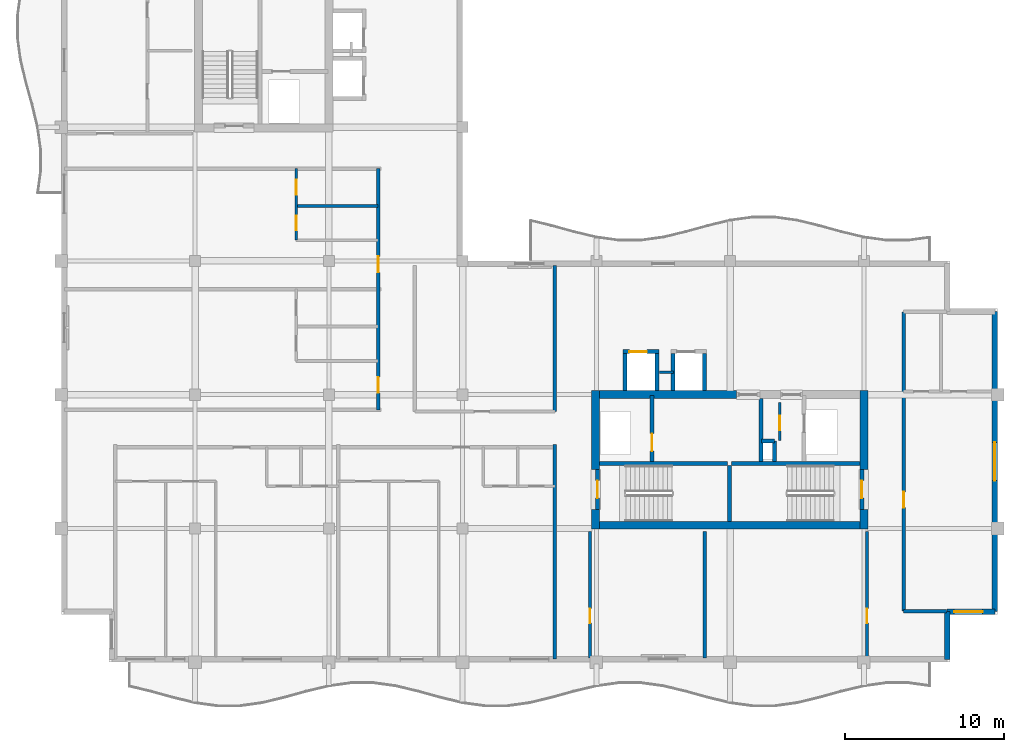
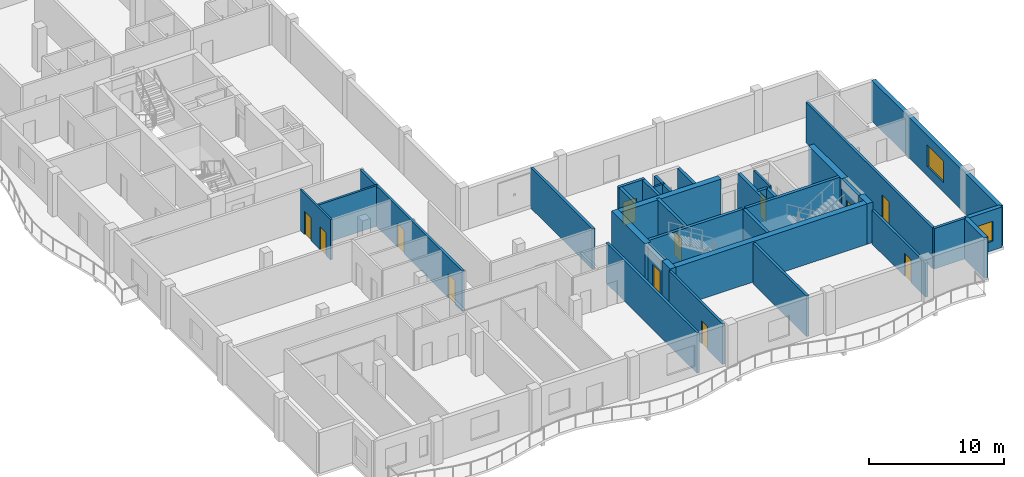
# One storey, part 4 of 12: 35 walls, 12 doors, 2 windows, 14 openings.
"""IFC4 building model written with IfcOpenShell, lengths in metres."""

from ifc_helpers import new_model, si_unit, direction, frame, frame_2d, origin, place, context, subcontext, project, spatial, rectangle, extrude, material, layer, layer_set, type_object, element, fill, save


model = new_model("IFC4")

# Units and contexts
model_context = context("Model", 3, precision=1e-05, world=origin(), true_north=direction((0.0, 1.0)))
body_context = subcontext(model_context, "Body", "Model", "MODEL_VIEW")
ifc_project = project(units=[si_unit("LENGTHUNIT", "METRE"), si_unit("AREAUNIT", "SQUARE_METRE"), si_unit("VOLUMEUNIT", "CUBIC_METRE"), si_unit("PLANEANGLEUNIT", "RADIAN"), si_unit("MASSUNIT", "GRAM", prefix="KILO")], contexts=[model_context])

# Site, building, storey
site_placement = place(None, origin())
site = spatial("IfcSite", under=ifc_project, at=site_placement, CompositionType="ELEMENT")
building_placement = place(site_placement, origin())
building = spatial("IfcBuilding", under=site, at=building_placement, Name="Koriwani Terraces Tower", CompositionType="ELEMENT")
storey_placement = place(building_placement, frame((0.0, 0.0, 328.10009765625)))
storey = spatial("IfcBuildingStorey", under=building, at=storey_placement, Name="L81", CompositionType="ELEMENT", Elevation=328.10009765625)

# Walls
ifc_material_1 = material(Name="Concrete C50/60", Category="concrete")
ifc_layer_1 = layer(ifc_material_1, 0.5, Name="Concrete C50/60")
ifc_layer_set_1 = layer_set([ifc_layer_1], Name="Concrete C50/60")
wall_type_1 = type_object("IfcWallType", Name="WALL_CORE_RC_500", PredefinedType="SHEAR", material=ifc_layer_set_1)
wall_1_placement = place(storey_placement, frame((41.949951171875, 16.75, 0.0), z_axis=(0.0, 0.0, 1.0), x_axis=(0.0, 1.0, 0.0)))
element("IfcWall", 1, at=wall_1_placement, inside=storey, type_object=wall_type_1, Name="L81 East Split Core Shear Wall W1", PredefinedType="SHEAR", context=body_context, shape_type="SweptSolid", body=[
    extrude(rectangle(XDim=1.25, YDim=0.5, at=frame_2d((0.625, 0.0))), origin(), (0.0, 0.0, 1.0), 3.669921875),
])
wall_2_placement = place(storey_placement, frame((41.949951171875, 20.5, 0.0), z_axis=(0.0, 0.0, 1.0), x_axis=(0.0, 1.0, 0.0)))
element("IfcWall", 2, at=wall_2_placement, inside=storey, type_object=wall_type_1, Name="L81 East Split Core Shear Wall W2", PredefinedType="SHEAR", context=body_context, shape_type="SweptSolid", body=[
    extrude(rectangle(XDim=4.949951171875, YDim=0.5, at=frame_2d((2.47509765625, 0.0))), origin(), (0.0, 0.0, 1.0), 3.669921875),
])
wall_3_placement = place(storey_placement, frame((58.800048828125, 16.75, 0.0), z_axis=(0.0, 0.0, 1.0), x_axis=(0.0, 1.0, 0.0)))
element("IfcWall", 3, at=wall_3_placement, inside=storey, type_object=wall_type_1, Name="L81 East Split Core Shear Wall E1", PredefinedType="SHEAR", context=body_context, shape_type="SweptSolid", body=[
    extrude(rectangle(XDim=1.25, YDim=0.5, at=frame_2d((0.625, 0.0))), origin(), (0.0, 0.0, 1.0), 3.669921875),
])
wall_4_placement = place(storey_placement, frame((58.800048828125, 20.5, 0.0), z_axis=(0.0, 0.0, 1.0), x_axis=(0.0, 1.0, 0.0)))
element("IfcWall", 4, at=wall_4_placement, inside=storey, type_object=wall_type_1, Name="L81 East Split Core Shear Wall E2", PredefinedType="SHEAR", context=body_context, shape_type="SweptSolid", body=[
    extrude(rectangle(XDim=4.949951171875, YDim=0.5, at=frame_2d((2.47509765625, 0.0))), origin(), (0.0, 0.0, 1.0), 3.669921875),
])
wall_5_placement = place(storey_placement, frame((42.199951171875, 17.0, 0.0), z_axis=(0.0, 0.0, 1.0), x_axis=(1.0, 0.0, 0.0)))
element("IfcWall", 5, at=wall_5_placement, inside=storey, type_object=wall_type_1, Name="L81 East Split Core Shear Wall S1", PredefinedType="SHEAR", context=body_context, shape_type="SweptSolid", body=[
    extrude(rectangle(XDim=16.35009765625, YDim=0.5, at=frame_2d((8.175048828125, 0.0))), origin(), (0.0, 0.0, 1.0), 3.669921875),
])
wall_6_placement = place(storey_placement, frame((42.199951171875, 25.199951171875, 0.0), z_axis=(0.0, 0.0, 1.0), x_axis=(1.0, 0.0, 0.0)))
element("IfcWall", 6, at=wall_6_placement, inside=storey, type_object=wall_type_1, Name="L81 East Split Core Shear Wall N1", PredefinedType="SHEAR", context=body_context, shape_type="SweptSolid", body=[
    extrude(rectangle(XDim=8.60009765625, YDim=0.5, at=frame_2d((4.300048828125, 0.0))), origin(), (0.0, 0.0, 1.0), 3.669921875),
])

# Wall, opening, door
ifc_material_2 = material(Name="Autoclaved Cellular Concrete Blockwork", Category="masonry")
ifc_layer_2 = layer(ifc_material_2, 0.199951171875, Name="Autoclaved Cellular Concrete Blockwork")
ifc_layer_set_2 = layer_set([ifc_layer_2], Name="Autoclaved Cellular Concrete Blockwork")
wall_type_2 = type_object("IfcWallType", Name="WALL_CORRIDOR_200", PredefinedType="PARTITIONING", material=ifc_layer_set_2)
wall_7_placement = place(storey_placement, frame((41.60009765625, 8.64990234375, 0.0), z_axis=(0.0, 0.0, 1.0), x_axis=(0.0, 1.0, 0.0)))
wall_7 = element("IfcWall", 7, at=wall_7_placement, inside=storey, type_object=wall_type_2, Name="L81 Interior Wall WRZ4-EW-L81", PredefinedType="PARTITIONING", context=body_context, shape_type="SweptSolid", body=[
    extrude(rectangle(XDim=7.9501953125, YDim=0.199951171875, at=frame_2d((3.97509765625, 0.0))), origin(), (0.0, 0.0, 1.0), 3.669921875),
])
opening_1_placement = place(wall_7_placement, frame((2.199951171875, 0.0, 0.0)))
opening_1 = element("IfcOpeningElement", 8, at=opening_1_placement, cuts=wall_7, Name="Opening D-06", PredefinedType="OPENING", context=body_context, shape_type="SweptSolid", body=[
    extrude(rectangle(XDim=0.919921875, YDim=2.10009765625, at=frame_2d((0.4599609375, 1.050048828125))), frame((0.0, 0.10986328125, 0.0), z_axis=(0.0, -1.0, 0.0), x_axis=(1.0, 0.0, 0.0)), (0.0, 0.0, 1.0), 0.219970703125),
])
ifc_material_3 = material(Name="Architectural Oak Fire Door", Category="wood")
door_type_1 = type_object("IfcDoorType", Name="DOOR_ROOM_INT_920X2100", OperationType="NOTDEFINED", PredefinedType="DOOR", material=ifc_material_3)
door_1_placement = place(opening_1_placement, origin())
door_1 = element("IfcDoor", 9, at=door_1_placement, inside=storey, type_object=door_type_1, Name="L81 Resident Library Study Door", OperationType="SINGLE_SWING_RIGHT", OverallHeight=2.10009765625, OverallWidth=0.919921875, PredefinedType="DOOR", context=body_context, shape_type="SweptSolid", body=[
    extrude(rectangle(XDim=0.919921875, YDim=2.10009765625, at=frame_2d((0.4599609375, 1.050048828125))), frame((0.0, 0.02490234375, 0.0), z_axis=(0.0, -1.0, 0.0), x_axis=(1.0, 0.0, 0.0)), (0.0, 0.0, 1.0), 0.050048828125),
])
fill(opening_1, door_1)

wall_8_placement = place(storey_placement, frame((59.0, 8.64990234375, 0.0), z_axis=(0.0, 0.0, 1.0), x_axis=(0.0, 1.0, 0.0)))
wall_8 = element("IfcWall", 10, at=wall_8_placement, inside=storey, type_object=wall_type_2, Name="L81 Interior Wall WRZ4-EE-L81", PredefinedType="PARTITIONING", context=body_context, shape_type="SweptSolid", body=[
    extrude(rectangle(XDim=7.9501953125, YDim=0.199951171875, at=frame_2d((3.97509765625, 0.0))), origin(), (0.0, 0.0, 1.0), 3.06982421875),
])
opening_2_placement = place(wall_8_placement, frame((2.199951171875, 0.0, 0.0)))
opening_2 = element("IfcOpeningElement", 11, at=opening_2_placement, cuts=wall_8, Name="Opening D-06", PredefinedType="OPENING", context=body_context, shape_type="SweptSolid", body=[
    extrude(rectangle(XDim=0.919921875, YDim=2.10009765625, at=frame_2d((0.4599609375, 1.050048828125))), frame((0.0, 0.10986328125, 0.0), z_axis=(0.0, -1.0, 0.0), x_axis=(1.0, 0.0, 0.0)), (0.0, 0.0, 1.0), 0.219970703125),
])
door_2_placement = place(opening_2_placement, origin())
door_2 = element("IfcDoor", 12, at=door_2_placement, inside=storey, type_object=door_type_1, Name="L81 Resident Laundry Room Door", OperationType="SINGLE_SWING_LEFT", OverallHeight=2.10009765625, OverallWidth=0.919921875, PredefinedType="DOOR", context=body_context, shape_type="SweptSolid", body=[
    extrude(rectangle(XDim=0.919921875, YDim=2.10009765625, at=frame_2d((0.4599609375, 1.050048828125))), frame((0.0, 0.02490234375, 0.0), z_axis=(0.0, -1.0, 0.0), x_axis=(1.0, 0.0, 0.0)), (0.0, 0.0, 1.0), 0.050048828125),
])
fill(opening_2, door_2)

# Wall, openings, doors
wall_9_placement = place(storey_placement, frame((28.300048828125, 24.25, 0.0), z_axis=(0.0, 0.0, 1.0), x_axis=(0.0, 1.0, 0.0)))
wall_9 = element("IfcWall", 13, at=wall_9_placement, inside=storey, type_object=wall_type_2, Name="L81 Interior Wall WRCOR-L81-NE-0", PredefinedType="PARTITIONING", context=body_context, shape_type="SweptSolid", body=[
    extrude(rectangle(XDim=15.14990234375, YDim=0.199951171875, at=frame_2d((7.574951171875, 0.0))), origin(), (0.0, 0.0, 1.0), 3.669921875),
])
opening_3_placement = place(wall_9_placement, frame((1.0576171875, 0.0, 0.0)))
opening_3 = element("IfcOpeningElement", 14, at=opening_3_placement, cuts=wall_9, Name="Opening D-05", PredefinedType="OPENING", context=body_context, shape_type="SweptSolid", body=[
    extrude(rectangle(XDim=1.0, YDim=2.14990234375, at=frame_2d((0.5, 1.074951171875))), frame((0.0, 0.10986328125, 0.0), z_axis=(0.0, -1.0, 0.0), x_axis=(1.0, 0.0, 0.0)), (0.0, 0.0, 1.0), 0.219970703125),
])
opening_4_placement = place(wall_9_placement, frame((8.632568359375, 0.0, 0.0)))
opening_4 = element("IfcOpeningElement", 15, at=opening_4_placement, cuts=wall_9, Name="Opening D-05", PredefinedType="OPENING", context=body_context, shape_type="SweptSolid", body=[
    extrude(rectangle(XDim=1.0, YDim=2.14990234375, at=frame_2d((0.5, 1.074951171875))), frame((0.0, 0.10986328125, 0.0), z_axis=(0.0, -1.0, 0.0), x_axis=(1.0, 0.0, 0.0)), (0.0, 0.0, 1.0), 0.219970703125),
])
door_type_2 = type_object("IfcDoorType", Name="DOOR_SUITE_ENTRY_1000X2150", OperationType="NOTDEFINED", PredefinedType="DOOR", material=ifc_material_3)
door_3_placement = place(opening_3_placement, origin())
door_3 = element("IfcDoor", 16, at=door_3_placement, inside=storey, type_object=door_type_2, Name="Apartment 81NE1 Entrance Door", OperationType="SINGLE_SWING_RIGHT", OverallHeight=2.14990234375, OverallWidth=1.0, PredefinedType="DOOR", context=body_context, shape_type="SweptSolid", body=[
    extrude(rectangle(XDim=1.0, YDim=2.14990234375, at=frame_2d((0.5, 1.074951171875))), frame((0.0, 0.02490234375, 0.0), z_axis=(0.0, -1.0, 0.0), x_axis=(1.0, 0.0, 0.0)), (0.0, 0.0, 1.0), 0.050048828125),
])
fill(opening_3, door_3)
door_4_placement = place(opening_4_placement, origin())
door_4 = element("IfcDoor", 17, at=door_4_placement, inside=storey, type_object=door_type_2, Name="Apartment 81NE2 Entrance Door", OperationType="SINGLE_SWING_LEFT", OverallHeight=2.14990234375, OverallWidth=1.0, PredefinedType="DOOR", context=body_context, shape_type="SweptSolid", body=[
    extrude(rectangle(XDim=1.0, YDim=2.14990234375, at=frame_2d((0.5, 1.074951171875))), frame((0.0, 0.02490234375, 0.0), z_axis=(0.0, -1.0, 0.0), x_axis=(1.0, 0.0, 0.0)), (0.0, 0.0, 1.0), 0.050048828125),
])
fill(opening_4, door_4)

# Wall, opening, door
wall_10_placement = place(storey_placement, frame((61.300048828125, 11.60009765625, 0.0), z_axis=(0.0, 0.0, 1.0), x_axis=(0.0, 1.0, 0.0)))
wall_10 = element("IfcWall", 18, at=wall_10_placement, inside=storey, type_object=wall_type_2, Name="L81 Interior Wall WET-W-L81", PredefinedType="PARTITIONING", context=body_context, shape_type="SweptSolid", body=[
    extrude(rectangle(XDim=18.7998046875, YDim=0.199951171875, at=frame_2d((9.39990234375, 0.0))), origin(), (0.0, 0.0, 1.0), 3.669921875),
])
opening_5_placement = place(wall_10_placement, frame((6.5, 0.0, 0.0)))
opening_5 = element("IfcOpeningElement", 19, at=opening_5_placement, cuts=wall_10, Name="Opening D-05", PredefinedType="OPENING", context=body_context, shape_type="SweptSolid", body=[
    extrude(rectangle(XDim=1.0, YDim=2.14990234375, at=frame_2d((0.5, 1.074951171875))), frame((0.0, 0.10986328125, 0.0), z_axis=(0.0, -1.0, 0.0), x_axis=(1.0, 0.0, 0.0)), (0.0, 0.0, 1.0), 0.219970703125),
])
door_5_placement = place(opening_5_placement, origin())
door_5 = element("IfcDoor", 20, at=door_5_placement, inside=storey, type_object=door_type_2, Name="Apartment 81ET Entrance Door", OperationType="SINGLE_SWING_LEFT", OverallHeight=2.14990234375, OverallWidth=1.0, PredefinedType="DOOR", context=body_context, shape_type="SweptSolid", body=[
    extrude(rectangle(XDim=1.0, YDim=2.14990234375, at=frame_2d((0.5, 1.074951171875))), frame((0.0, 0.02490234375, 0.0), z_axis=(0.0, -1.0, 0.0), x_axis=(1.0, 0.0, 0.0)), (0.0, 0.0, 1.0), 0.050048828125),
])
fill(opening_5, door_5)

# Walls
ifc_layer_3 = layer(ifc_material_2, 0.219970703125, Name="Autoclaved Cellular Concrete Blockwork")
ifc_layer_set_3 = layer_set([ifc_layer_3], Name="Autoclaved Cellular Concrete Blockwork")
wall_type_3 = type_object("IfcWallType", Name="WALL_DEMISING_220", PredefinedType="PARTITIONING", material=ifc_layer_set_3)
wall_11_placement = place(storey_placement, frame((39.39990234375, 24.14990234375, 0.0), z_axis=(0.0, 0.0, 1.0), x_axis=(0.0, 1.0, 0.0)))
element("IfcWall", 21, at=wall_11_placement, inside=storey, type_object=wall_type_3, Name="L81 Interior Wall WIC4SE-L81", PredefinedType="PARTITIONING", context=body_context, shape_type="SweptSolid", body=[
    extrude(rectangle(XDim=9.150146484375, YDim=0.219970703125, at=frame_2d((4.5751953125, 0.0))), origin(), (0.0, 0.0, 1.0), 3.669921875),
])
wall_12_placement = place(storey_placement, frame((48.800048828125, 8.64990234375, 0.0), z_axis=(0.0, 0.0, 1.0), x_axis=(0.0, 1.0, 0.0)))
element("IfcWall", 22, at=wall_12_placement, inside=storey, type_object=wall_type_3, Name="L81 Interior Wall WRZ4-EM-L81", PredefinedType="PARTITIONING", context=body_context, shape_type="SweptSolid", body=[
    extrude(rectangle(XDim=7.9501953125, YDim=0.219970703125, at=frame_2d((3.97509765625, 0.0))), origin(), (0.0, 0.0, 1.0), 3.669921875),
])
wall_13_placement = place(storey_placement, frame((39.39990234375, 8.60009765625, 0.0), z_axis=(0.0, 0.0, 1.0), x_axis=(0.0, 1.0, 0.0)))
element("IfcWall", 23, at=wall_13_placement, inside=storey, type_object=wall_type_3, Name="L81 Interior Wall WRDEME-L81-SW", PredefinedType="PARTITIONING", context=body_context, shape_type="SweptSolid", body=[
    extrude(rectangle(XDim=13.47998046875, YDim=0.219970703125, at=frame_2d((6.739990234375, 0.0))), origin(), (0.0, 0.0, 1.0), 3.669921875),
])
wall_14_placement = place(storey_placement, frame((61.300048828125, 11.60009765625, 0.0), z_axis=(0.0, 0.0, 1.0), x_axis=(1.0, 0.0, 0.0)))
element("IfcWall", 24, at=wall_14_placement, inside=storey, type_object=wall_type_3, Name="L81 Interior Wall WET-S-L81", PredefinedType="PARTITIONING", context=body_context, shape_type="SweptSolid", body=[
    extrude(rectangle(XDim=2.699951171875, YDim=0.219970703125, at=frame_2d((1.35009765625, 0.0))), origin(), (0.0, 0.0, 1.0), 3.669921875),
])

# Wall, opening, window
ifc_layer_4 = layer(ifc_material_1, 0.35009765625, Name="Concrete C50/60")
ifc_layer_set_4 = layer_set([ifc_layer_4], Name="Concrete C50/60")
wall_type_4 = type_object("IfcWallType", Name="WALL_EXT_BRUTALIST_350", PredefinedType="STANDARD", material=ifc_layer_set_4)
wall_15_placement = place(storey_placement, frame((67.02490234375, 30.425048828125, 0.0), z_axis=(0.0, 0.0, 1.0), x_axis=(0.0, -1.0, 0.0)))
wall_15 = element("IfcWall", 25, at=wall_15_placement, inside=storey, type_object=wall_type_4, Name="L81 Fair-Faced Brutalist Exterior Wall (E_TIP)", PredefinedType="STANDARD", context=body_context, shape_type="SweptSolid", body=[
    extrude(rectangle(XDim=18.85009765625, YDim=0.35009765625, at=frame_2d((9.425048828125, 0.0))), origin(), (0.0, 0.0, 1.0), 3.669921875),
])
opening_6_placement = place(wall_15_placement, frame((8.22509765625, 0.0, 0.85009765625)))
opening_6 = element("IfcOpeningElement", 26, at=opening_6_placement, cuts=wall_15, Name="Opening W-03", PredefinedType="OPENING", context=body_context, shape_type="SweptSolid", body=[
    extrude(rectangle(XDim=2.39990234375, YDim=1.949951171875, at=frame_2d((1.199951171875, 0.97509765625))), frame((0.0, 0.18505859375, 0.0), z_axis=(0.0, -1.0, 0.0), x_axis=(1.0, 0.0, 0.0)), (0.0, 0.0, 1.0), 0.3701171875),
])
ifc_material_4 = material(Name="Tempered Laminated Low-E Glass", Category="glass")
window_type_1 = type_object("IfcWindowType", Name="WIN_RES_LIVING_2400X1950", PartitioningType="DOUBLE_PANEL_VERTICAL", PredefinedType="WINDOW", material=ifc_material_4)
window_1_placement = place(opening_6_placement, origin())
window_1 = element("IfcWindow", 27, at=window_1_placement, inside=storey, type_object=window_type_1, Name="L81 Exterior Window (E_TIP-3)", OverallHeight=1.949951171875, OverallWidth=2.39990234375, PartitioningType="SINGLE_PANEL", PredefinedType="WINDOW", context=body_context, shape_type="SweptSolid", body=[
    extrude(rectangle(XDim=2.39990234375, YDim=1.949951171875, at=frame_2d((1.199951171875, 0.97509765625))), frame((0.0, 0.030029296875, 0.0), z_axis=(0.0, -1.0, 0.0), x_axis=(1.0, 0.0, 0.0)), (0.0, 0.0, 1.0), 0.06005859375),
])
fill(opening_6, window_1)

wall_16_placement = place(storey_placement, frame((67.02490234375, 11.574951171875, 0.0), z_axis=(0.0, 0.0, 1.0), x_axis=(-1.0, 0.0, 0.0)))
wall_16 = element("IfcWall", 28, at=wall_16_placement, inside=storey, type_object=wall_type_4, Name="L81 Fair-Faced Brutalist Exterior Wall (N13)", PredefinedType="STANDARD", context=body_context, shape_type="SweptSolid", body=[
    extrude(rectangle(XDim=3.0, YDim=0.35009765625, at=frame_2d((1.5, 0.0))), origin(), (0.0, 0.0, 1.0), 3.669921875),
])
opening_7_placement = place(wall_16_placement, frame((0.762451171875, 0.0, 0.85009765625)))
opening_7 = element("IfcOpeningElement", 29, at=opening_7_placement, cuts=wall_16, Name="Opening W-04", PredefinedType="OPENING", context=body_context, shape_type="SweptSolid", body=[
    extrude(rectangle(XDim=1.800048828125, YDim=1.800048828125, at=frame_2d((0.89990234375, 0.89990234375))), frame((0.0, 0.18505859375, 0.0), z_axis=(0.0, -1.0, 0.0), x_axis=(1.0, 0.0, 0.0)), (0.0, 0.0, 1.0), 0.3701171875),
])
window_type_2 = type_object("IfcWindowType", Name="WIN_RES_BED_1800X1800", PartitioningType="DOUBLE_PANEL_VERTICAL", PredefinedType="WINDOW", material=ifc_material_4)
window_2_placement = place(opening_7_placement, origin())
window_2 = element("IfcWindow", 30, at=window_2_placement, inside=storey, type_object=window_type_2, Name="L81 Exterior Window (N13-R57)", OverallHeight=1.800048828125, OverallWidth=1.800048828125, PartitioningType="SINGLE_PANEL", PredefinedType="WINDOW", context=body_context, shape_type="SweptSolid", body=[
    extrude(rectangle(XDim=1.800048828125, YDim=1.800048828125, at=frame_2d((0.89990234375, 0.89990234375))), frame((0.0, 0.030029296875, 0.0), z_axis=(0.0, -1.0, 0.0), x_axis=(1.0, 0.0, 0.0)), (0.0, 0.0, 1.0), 0.06005859375),
])
fill(opening_7, window_2)

# Wall
wall_17_placement = place(storey_placement, frame((64.02490234375, 11.574951171875, 0.0), z_axis=(0.0, 0.0, 1.0), x_axis=(0.0, -1.0, 0.0)))
element("IfcWall", 31, at=wall_17_placement, inside=storey, type_object=wall_type_4, Name="L81 Fair-Faced Brutalist Exterior Wall (N14)", PredefinedType="STANDARD", context=body_context, shape_type="SweptSolid", body=[
    extrude(rectangle(XDim=3.0, YDim=0.35009765625, at=frame_2d((1.5, 0.0))), origin(), (0.0, 0.0, 1.0), 3.669921875),
])

# Wall, openings, doors
ifc_material_5 = material(Name="Fire-Rated Acoustic Gypsum Partition", Category="masonry")
ifc_layer_5 = layer(ifc_material_5, 0.179931640625, Name="Fire-Rated Acoustic Gypsum Partition")
ifc_layer_set_5 = layer_set([ifc_layer_5], Name="Fire-Rated Acoustic Gypsum Partition")
wall_type_5 = type_object("IfcWallType", Name="WALL_PLUMBING_180", PredefinedType="PLUMBINGWALL", material=ifc_layer_set_5)
wall_18_placement = place(storey_placement, frame((23.14990234375, 34.89990234375, 0.0), z_axis=(0.0, 0.0, 1.0), x_axis=(0.0, 1.0, 0.0)))
wall_18 = element("IfcWall", 32, at=wall_18_placement, inside=storey, type_object=wall_type_5, Name="L81 Interior Wall WRSVC-L81-NE-1", PredefinedType="PLUMBINGWALL", context=body_context, shape_type="SweptSolid", body=[
    extrude(rectangle(XDim=4.5, YDim=0.179931640625, at=frame_2d((2.25, 0.0))), origin(), (0.0, 0.0, 1.0), 3.669921875),
])
opening_8_placement = place(wall_18_placement, frame((0.6298828125, 0.0, 0.0)))
opening_8 = element("IfcOpeningElement", 33, at=opening_8_placement, cuts=wall_18, Name="Opening D-07", PredefinedType="OPENING", context=body_context, shape_type="SweptSolid", body=[
    extrude(rectangle(XDim=0.89990234375, YDim=2.10009765625, at=frame_2d((0.449951171875, 1.050048828125))), frame((0.0, 0.10009765625, 0.0), z_axis=(0.0, -1.0, 0.0), x_axis=(1.0, 0.0, 0.0)), (0.0, 0.0, 1.0), 0.199951171875),
])
opening_9_placement = place(wall_18_placement, frame((2.8701171875, 0.0, 0.0)))
opening_9 = element("IfcOpeningElement", 34, at=opening_9_placement, cuts=wall_18, Name="Opening D-06", PredefinedType="OPENING", context=body_context, shape_type="SweptSolid", body=[
    extrude(rectangle(XDim=0.919921875, YDim=2.10009765625, at=frame_2d((0.4599609375, 1.050048828125))), frame((0.0, 0.10009765625, 0.0), z_axis=(0.0, -1.0, 0.0), x_axis=(1.0, 0.0, 0.0)), (0.0, 0.0, 1.0), 0.199951171875),
])
door_type_3 = type_object("IfcDoorType", Name="DOOR_BATH_INT_900X2100", OperationType="NOTDEFINED", PredefinedType="DOOR", material=ifc_material_3)
door_6_placement = place(opening_8_placement, origin())
door_6 = element("IfcDoor", 35, at=door_6_placement, inside=storey, type_object=door_type_3, Name="Apartment 81NE2 Bathroom Door", OperationType="SINGLE_SWING_RIGHT", OverallHeight=2.10009765625, OverallWidth=0.89990234375, PredefinedType="DOOR", context=body_context, shape_type="SweptSolid", body=[
    extrude(rectangle(XDim=0.89990234375, YDim=2.10009765625, at=frame_2d((0.449951171875, 1.050048828125))), frame((0.0, 0.02490234375, 0.0), z_axis=(0.0, -1.0, 0.0), x_axis=(1.0, 0.0, 0.0)), (0.0, 0.0, 1.0), 0.050048828125),
])
fill(opening_8, door_6)
door_7_placement = place(opening_9_placement, origin())
door_7 = element("IfcDoor", 36, at=door_7_placement, inside=storey, type_object=door_type_1, Name="Apartment 81NE2 Kitchen Door", OperationType="SINGLE_SWING_LEFT", OverallHeight=2.10009765625, OverallWidth=0.919921875, PredefinedType="DOOR", context=body_context, shape_type="SweptSolid", body=[
    extrude(rectangle(XDim=0.919921875, YDim=2.10009765625, at=frame_2d((0.4599609375, 1.050048828125))), frame((0.0, 0.02490234375, 0.0), z_axis=(0.0, -1.0, 0.0), x_axis=(1.0, 0.0, 0.0)), (0.0, 0.0, 1.0), 0.050048828125),
])
fill(opening_9, door_7)

# Walls
wall_19_placement = place(storey_placement, frame((23.14990234375, 37.06005859375, 0.0), z_axis=(0.0, 0.0, 1.0), x_axis=(1.0, 0.0, 0.0)))
element("IfcWall", 37, at=wall_19_placement, inside=storey, type_object=wall_type_5, Name="L81 Interior Wall WRSVCM-L81-NE-1", PredefinedType="PLUMBINGWALL", context=body_context, shape_type="SweptSolid", body=[
    extrude(rectangle(XDim=5.150146484375, YDim=0.179931640625, at=frame_2d((2.5751953125, 0.0))), origin(), (0.0, 0.0, 1.0), 3.669921875),
])
ifc_material_6 = material(Name="Concrete C40/50", Category="concrete")
ifc_layer_6 = layer(ifc_material_6, 0.25, Name="Concrete C40/50")
ifc_layer_set_6 = layer_set([ifc_layer_6], Name="Concrete C40/50")
wall_type_6 = type_object("IfcWallType", Name="WALL_SHAFT_RATED_250", PredefinedType="SOLIDWALL", material=ifc_layer_set_6)
for number, where, z_axis, x_axis, name in (
    (38, (42.199951171875, 20.875, 0.0), (0.0, 0.0, 1.0), (1.0, 0.0, 0.0), "L81 East Split Core Web Wall MID1"),
    (39, (50.5, 20.875, 0.0), (0.0, 0.0, 1.0), (1.0, 0.0, 0.0), "L81 East Split Core Web Wall MID2"),
):
    element("IfcWall", number, at=place(storey_placement, frame(where, z_axis=z_axis, x_axis=x_axis)), inside=storey, type_object=wall_type_6, Name=name, PredefinedType="SOLIDWALL", context=body_context, shape_type="SweptSolid", body=[
        extrude(rectangle(XDim=8.050048828125, YDim=0.25, at=frame_2d((4.02490234375, 0.0))), origin(), (0.0, 0.0, 1.0), 3.669921875),
    ])
wall_20_placement = place(storey_placement, frame((50.375, 17.25, 0.0), z_axis=(0.0, 0.0, 1.0), x_axis=(0.0, 1.0, 0.0)))
element("IfcWall", 40, at=wall_20_placement, inside=storey, type_object=wall_type_6, Name="L81 East Split Core Stair Dividing Wall", PredefinedType="SOLIDWALL", context=body_context, shape_type="SweptSolid", body=[
    extrude(rectangle(XDim=3.5, YDim=0.25, at=frame_2d((1.75, 0.0))), origin(), (0.0, 0.0, 1.0), 3.669921875),
])

# Wall, opening, door
wall_21_placement = place(storey_placement, frame((42.074951171875, 18.0, 0.0), z_axis=(0.0, 0.0, 1.0), x_axis=(0.0, 1.0, 0.0)))
wall_21 = element("IfcWall", 41, at=wall_21_placement, inside=storey, type_object=wall_type_6, Name="L81 Interior Wall WIN-CE-L81-STW", PredefinedType="SOLIDWALL", context=body_context, shape_type="SweptSolid", body=[
    extrude(rectangle(XDim=2.5, YDim=0.25, at=frame_2d((1.25, 0.0))), origin(), (0.0, 0.0, 1.0), 3.669921875),
])
opening_10_placement = place(wall_21_placement, frame((0.699951171875, 0.0, 0.0)))
opening_10 = element("IfcOpeningElement", 42, at=opening_10_placement, cuts=wall_21, Name="Opening D-03", PredefinedType="OPENING", context=body_context, shape_type="SweptSolid", body=[
    extrude(rectangle(XDim=1.10009765625, YDim=2.14990234375, at=frame_2d((0.550048828125, 1.074951171875))), frame((0.0, 0.135009765625, 0.0), z_axis=(0.0, -1.0, 0.0), x_axis=(1.0, 0.0, 0.0)), (0.0, 0.0, 1.0), 0.27001953125),
])
ifc_material_7 = material(Name="Steel ASTM A572 Grade 50", Category="steel")
door_type_4 = type_object("IfcDoorType", Name="DOOR_STAIR_FIRE_1100X2150", OperationType="NOTDEFINED", PredefinedType="DOOR", material=ifc_material_7)
door_8_placement = place(opening_10_placement, origin())
door_8 = element("IfcDoor", 43, at=door_8_placement, inside=storey, type_object=door_type_4, Name="L81 Exit Stair ST-E1 Door", OperationType="SINGLE_SWING_RIGHT", OverallHeight=2.14990234375, OverallWidth=1.10009765625, PredefinedType="DOOR", context=body_context, shape_type="SweptSolid", body=[
    extrude(rectangle(XDim=1.10009765625, YDim=2.14990234375, at=frame_2d((0.550048828125, 1.074951171875))), frame((0.0, 0.02490234375, 0.0), z_axis=(0.0, -1.0, 0.0), x_axis=(1.0, 0.0, 0.0)), (0.0, 0.0, 1.0), 0.050048828125),
])
fill(opening_10, door_8)

wall_22_placement = place(storey_placement, frame((58.675048828125, 18.0, 0.0), z_axis=(0.0, 0.0, 1.0), x_axis=(0.0, 1.0, 0.0)))
wall_22 = element("IfcWall", 44, at=wall_22_placement, inside=storey, type_object=wall_type_6, Name="L81 Interior Wall WIN-CE-L81-STE", PredefinedType="SOLIDWALL", context=body_context, shape_type="SweptSolid", body=[
    extrude(rectangle(XDim=2.5, YDim=0.25, at=frame_2d((1.25, 0.0))), origin(), (0.0, 0.0, 1.0), 3.669921875),
])
opening_11_placement = place(wall_22_placement, frame((0.699951171875, 0.0, 0.0)))
opening_11 = element("IfcOpeningElement", 45, at=opening_11_placement, cuts=wall_22, Name="Opening D-03", PredefinedType="OPENING", context=body_context, shape_type="SweptSolid", body=[
    extrude(rectangle(XDim=1.10009765625, YDim=2.14990234375, at=frame_2d((0.550048828125, 1.074951171875))), frame((0.0, 0.135009765625, 0.0), z_axis=(0.0, -1.0, 0.0), x_axis=(1.0, 0.0, 0.0)), (0.0, 0.0, 1.0), 0.27001953125),
])
door_9_placement = place(opening_11_placement, origin())
door_9 = element("IfcDoor", 46, at=door_9_placement, inside=storey, type_object=door_type_4, Name="L81 Exit Stair ST-E2 Door", OperationType="SINGLE_SWING_LEFT", OverallHeight=2.14990234375, OverallWidth=1.10009765625, PredefinedType="DOOR", context=body_context, shape_type="SweptSolid", body=[
    extrude(rectangle(XDim=1.10009765625, YDim=2.14990234375, at=frame_2d((0.550048828125, 1.074951171875))), frame((0.0, 0.02490234375, 0.0), z_axis=(0.0, -1.0, 0.0), x_axis=(1.0, 0.0, 0.0)), (0.0, 0.0, 1.0), 0.050048828125),
])
fill(opening_11, door_9)

wall_23_placement = place(storey_placement, frame((45.5, 21.0, 0.0), z_axis=(0.0, 0.0, 1.0), x_axis=(0.0, 1.0, 0.0)))
wall_23 = element("IfcWall", 47, at=wall_23_placement, inside=storey, type_object=wall_type_6, Name="L81 Interior Wall WIN-CE-L81-FE", PredefinedType="SOLIDWALL", context=body_context, shape_type="SweptSolid", body=[
    extrude(rectangle(XDim=4.14990234375, YDim=0.25, at=frame_2d((2.074951171875, 0.0))), origin(), (0.0, 0.0, 1.0), 3.669921875),
])
opening_12_placement = place(wall_23_placement, frame((0.64990234375, 0.0, 0.0)))
opening_12 = element("IfcOpeningElement", 48, at=opening_12_placement, cuts=wall_23, Name="Opening LD-01", PredefinedType="OPENING", context=body_context, shape_type="SweptSolid", body=[
    extrude(rectangle(XDim=1.10009765625, YDim=2.14990234375, at=frame_2d((0.550048828125, 1.074951171875))), frame((0.0, 0.135009765625, 0.0), z_axis=(0.0, -1.0, 0.0), x_axis=(1.0, 0.0, 0.0)), (0.0, 0.0, 1.0), 0.27001953125),
])
door_type_5 = type_object("IfcDoorType", Name="DOOR_LIFT_LANDING_1100X2200", OperationType="NOTDEFINED", PredefinedType="DOOR", material=ifc_material_7)
door_10_placement = place(opening_12_placement, origin())
door_10 = element("IfcDoor", 49, at=door_10_placement, inside=storey, type_object=door_type_5, Name="L81 Firefighting Lift FE-02 Landing Door", OperationType="SLIDING_TO_LEFT", OverallHeight=2.14990234375, OverallWidth=1.10009765625, PredefinedType="DOOR", context=body_context, shape_type="SweptSolid", body=[
    extrude(rectangle(XDim=1.10009765625, YDim=2.14990234375, at=frame_2d((0.550048828125, 1.074951171875))), frame((0.0, 0.02490234375, 0.0), z_axis=(0.0, -1.0, 0.0), x_axis=(1.0, 0.0, 0.0)), (0.0, 0.0, 1.0), 0.050048828125),
])
fill(opening_12, door_10)

# Walls
wall_24_placement = place(storey_placement, frame((52.340087890625, 21.0, 0.0), z_axis=(0.0, 0.0, 1.0), x_axis=(0.0, 1.0, 0.0)))
element("IfcWall", 50, at=wall_24_placement, inside=storey, type_object=wall_type_6, Name="L81 Interior Wall WIN-CE-L81-FFE", PredefinedType="SOLIDWALL", context=body_context, shape_type="SweptSolid", body=[
    extrude(rectangle(XDim=3.949951171875, YDim=0.25, at=frame_2d((1.97509765625, 0.0))), origin(), (0.0, 0.0, 1.0), 3.669921875),
])
wall_25_placement = place(storey_placement, frame((53.199951171875, 21.0, 0.0), z_axis=(0.0, 0.0, 1.0), x_axis=(0.0, 1.0, 0.0)))
element("IfcWall", 51, at=wall_25_placement, inside=storey, type_object=wall_type_6, Name="L81 Interior Wall WIN-CE-L81-RS1", PredefinedType="SOLIDWALL", context=body_context, shape_type="SweptSolid", body=[
    extrude(rectangle(XDim=1.300048828125, YDim=0.25, at=frame_2d((0.64990234375, 0.0))), origin(), (0.0, 0.0, 1.0), 3.669921875),
])
wall_26_placement = place(storey_placement, frame((52.360107421875, 22.300048828125, 0.0), z_axis=(0.0, 0.0, 1.0), x_axis=(1.0, 0.0, 0.0)))
element("IfcWall", 52, at=wall_26_placement, inside=storey, type_object=wall_type_6, Name="L81 Interior Wall WIN-CE-L81-RS2", PredefinedType="SOLIDWALL", context=body_context, shape_type="SweptSolid", body=[
    extrude(rectangle(XDim=0.83984375, YDim=0.25, at=frame_2d((0.419921875, 0.0))), origin(), (0.0, 0.0, 1.0), 3.669921875),
])

# Wall, opening, door
wall_27_placement = place(storey_placement, frame((43.675048828125, 27.89990234375, 0.0), z_axis=(0.0, 0.0, 1.0), x_axis=(1.0, 0.0, 0.0)))
wall_27 = element("IfcWall", 53, at=wall_27_placement, inside=storey, type_object=wall_type_6, Name="L81 Interior Wall WIN-LF-PE-H3-L81-F", PredefinedType="SOLIDWALL", context=body_context, shape_type="SweptSolid", body=[
    extrude(rectangle(XDim=2.25, YDim=0.25, at=frame_2d((1.125, 0.0))), origin(), (0.0, 0.0, 1.0), 3.669921875),
])
opening_13_placement = place(wall_27_placement, frame((0.39990234375, 0.0, 0.0)))
opening_13 = element("IfcOpeningElement", 54, at=opening_13_placement, cuts=wall_27, Name="Opening LD-01", PredefinedType="OPENING", context=body_context, shape_type="SweptSolid", body=[
    extrude(rectangle(XDim=1.10009765625, YDim=2.14990234375, at=frame_2d((0.550048828125, 1.074951171875))), frame((0.0, 0.135009765625, 0.0), z_axis=(0.0, -1.0, 0.0), x_axis=(1.0, 0.0, 0.0)), (0.0, 0.0, 1.0), 0.27001953125),
])
door_11_placement = place(opening_13_placement, origin())
door_11 = element("IfcDoor", 55, at=door_11_placement, inside=storey, type_object=door_type_5, Name="L81 Passenger Lift PE-H3 Landing Door", OperationType="SLIDING_TO_LEFT", OverallHeight=2.14990234375, OverallWidth=1.10009765625, PredefinedType="DOOR", context=body_context, shape_type="SweptSolid", body=[
    extrude(rectangle(XDim=1.10009765625, YDim=2.14990234375, at=frame_2d((0.550048828125, 1.074951171875))), frame((0.0, 0.02490234375, 0.0), z_axis=(0.0, -1.0, 0.0), x_axis=(1.0, 0.0, 0.0)), (0.0, 0.0, 1.0), 0.050048828125),
])
fill(opening_13, door_11)

# Walls
for number, where, z_axis, x_axis, name in (
    (56, (43.800048828125, 25.449951171875, 0.0), (0.0, 0.0, 1.0), (0.0, 1.0, 0.0), "L81 Interior Wall WIN-LF-PE-H3-L81-W"),
    (57, (45.800048828125, 25.449951171875, 0.0), (0.0, 0.0, 1.0), (0.0, 1.0, 0.0), "L81 Interior Wall WIN-LF-PE-H3-L81-E"),
    (58, (46.800048828125, 25.449951171875, 0.0), (0.0, 0.0, 1.0), (0.0, 1.0, 0.0), "L81 Interior Wall WIN-LF-PE-H4-L81-W"),
    (59, (48.800048828125, 25.449951171875, 0.0), (0.0, 0.0, 1.0), (0.0, 1.0, 0.0), "L81 Interior Wall WIN-LF-PE-H4-L81-E"),
):
    element("IfcWall", number, at=place(storey_placement, frame(where, z_axis=z_axis, x_axis=x_axis)), inside=storey, type_object=wall_type_6, Name=name, PredefinedType="SOLIDWALL", context=body_context, shape_type="SweptSolid", body=[
        extrude(rectangle(XDim=2.324951171875, YDim=0.25, at=frame_2d((1.16259765625, 0.0))), origin(), (0.0, 0.0, 1.0), 3.669921875),
    ])

# Wall, opening, door
ifc_layer_7 = layer(ifc_material_5, 0.159912109375, Name="Fire-Rated Acoustic Gypsum Partition")
ifc_layer_set_7 = layer_set([ifc_layer_7], Name="Fire-Rated Acoustic Gypsum Partition")
wall_type_7 = type_object("IfcWallType", Name="WALL_SUITE_160", PredefinedType="PARTITIONING", material=ifc_layer_set_7)
wall_28_placement = place(storey_placement, frame((53.52001953125, 22.320068359375, 0.0), z_axis=(0.0, 0.0, 1.0), x_axis=(0.0, 1.0, 0.0)))
wall_28 = element("IfcWall", 60, at=wall_28_placement, inside=storey, type_object=wall_type_7, Name="L81 Interior Wall WIN-CE-L81-SV0", PredefinedType="PARTITIONING", context=body_context, shape_type="SweptSolid", body=[
    extrude(rectangle(XDim=2.39990234375, YDim=0.159912109375, at=frame_2d((1.199951171875, 0.0))), origin(), (0.0, 0.0, 1.0), 3.669921875),
])
opening_14_placement = place(wall_28_placement, frame((0.64990234375, 0.0, 0.0)))
opening_14 = element("IfcOpeningElement", 61, at=opening_14_placement, cuts=wall_28, Name="Opening D-07", PredefinedType="OPENING", context=body_context, shape_type="SweptSolid", body=[
    extrude(rectangle(XDim=0.89990234375, YDim=2.10009765625, at=frame_2d((0.449951171875, 1.050048828125))), frame((0.0, 0.08984375, 0.0), z_axis=(0.0, -1.0, 0.0), x_axis=(1.0, 0.0, 0.0)), (0.0, 0.0, 1.0), 0.179931640625),
])
door_12_placement = place(opening_14_placement, origin())
door_12 = element("IfcDoor", 62, at=door_12_placement, inside=storey, type_object=door_type_3, Name="L81 East Electrical Switch Room Door", OperationType="SINGLE_SWING_RIGHT", OverallHeight=2.10009765625, OverallWidth=0.89990234375, PredefinedType="DOOR", context=body_context, shape_type="SweptSolid", body=[
    extrude(rectangle(XDim=0.89990234375, YDim=2.10009765625, at=frame_2d((0.449951171875, 1.050048828125))), frame((0.0, 0.02490234375, 0.0), z_axis=(0.0, -1.0, 0.0), x_axis=(1.0, 0.0, 0.0)), (0.0, 0.0, 1.0), 0.050048828125),
])
fill(opening_14, door_12)

# Wall
wall_29_placement = place(storey_placement, frame((45.9599609375, 26.60009765625, 0.0), z_axis=(0.0, 0.0, 1.0), x_axis=(1.0, 0.0, 0.0)))
element("IfcWall", 63, at=wall_29_placement, inside=storey, type_object=wall_type_7, Name="L81 Interior Wall WIN-LF-PEH34-MID-L81", PredefinedType="PARTITIONING", context=body_context, shape_type="SweptSolid", body=[
    extrude(rectangle(XDim=0.880126953125, YDim=0.159912109375, at=frame_2d((0.43994140625, 0.0))), origin(), (0.0, 0.0, 1.0), 3.669921875),
])

save(model, "model.ifc")
